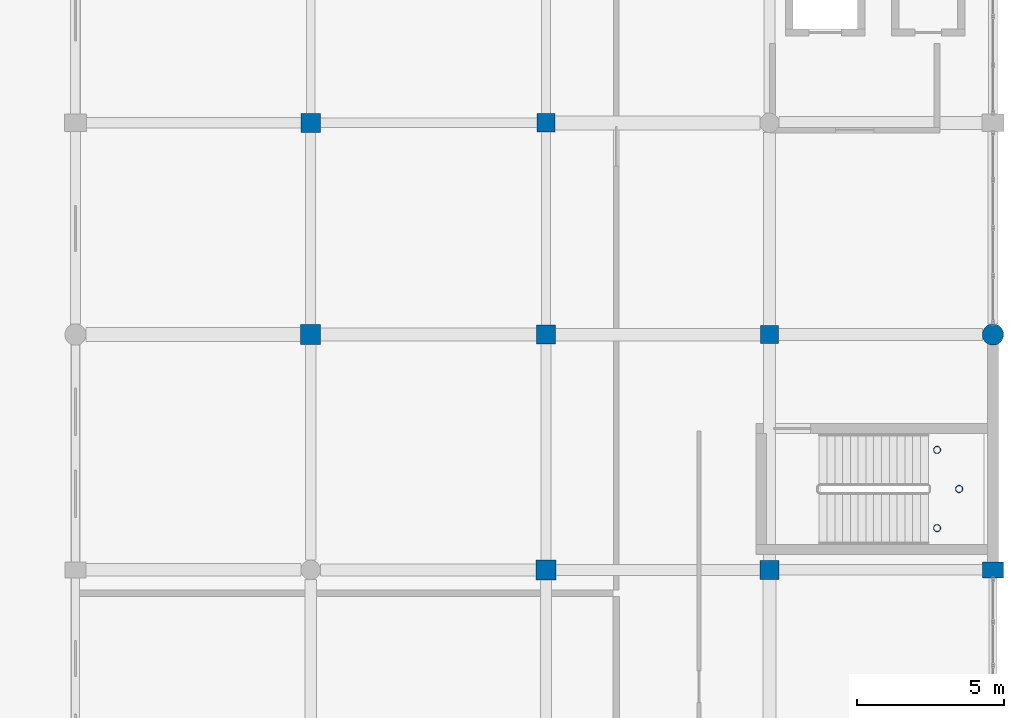
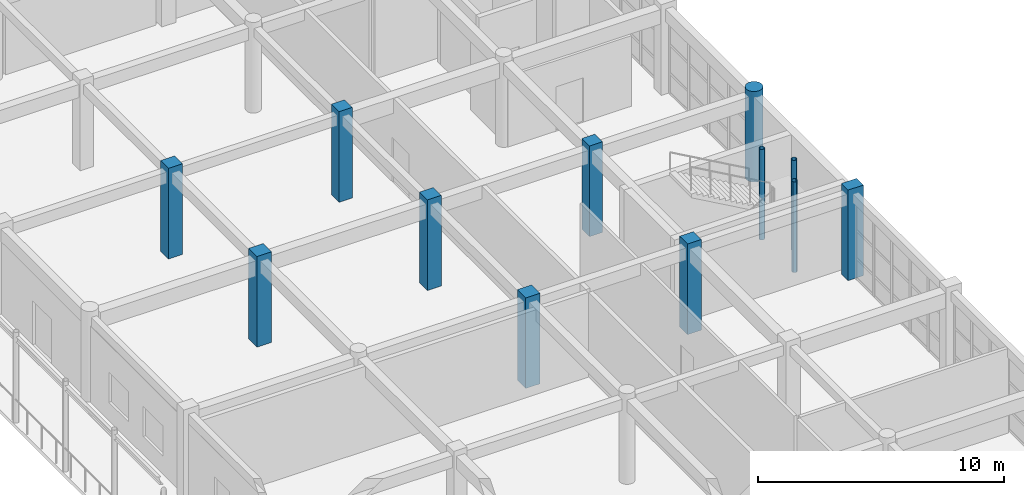
# One storey, part 32 of 160: 12 columns.
"""IFC4 building model written with IfcOpenShell, lengths in metres."""

import ifcopenshell
import ifcopenshell.guid

model = None  # the IFC model being written
_history = None  # IfcOwnerHistory: only IFC2X3 demands one
_inside = {}  # id of a spatial element -> (the spatial element, [elements in it])
_under = {}  # id of a project, library or spatial element -> (it, [spatial elements below it])
_declared = {}  # id of a project -> (the project, [libraries it declares])
_typed = {}  # id of a type object -> (the type object, [elements of that type])
_made_of = {}  # id of a material, layer set ... -> (it, [elements and type objects made of it])


def new_model(schema):
    """Start an empty IFC model of exactly this schema.

    Asked for "IFC4X3", IfcOpenShell would pick the latest addendum, in which some entities
    have other attributes; the version numbers below select the first issue.
    IFC2X3 requires an IfcOwnerHistory on every rooted entity: one is made here for all.
    """
    global model, _history
    if schema == "IFC4X3":
        model = ifcopenshell.file(schema_version=(4, 3, 0, 0))
    else:
        model = ifcopenshell.file(schema=schema)
    _inside.clear()
    _under.clear()
    _declared.clear()
    _typed.clear()
    _made_of.clear()
    _history = None
    if model.schema == "IFC2X3":
        org = make("IfcOrganization", Name="unknown")
        user = make(
            "IfcPersonAndOrganization",
            ThePerson=make("IfcPerson", FamilyName="unknown"),
            TheOrganization=org,
        )
        app = make(
            "IfcApplication",
            ApplicationDeveloper=org,
            Version="unknown",
            ApplicationFullName="unknown",
            ApplicationIdentifier="unknown",
        )
        _history = make(
            "IfcOwnerHistory",
            OwningUser=user,
            OwningApplication=app,
            ChangeAction="ADDED",
            CreationDate=0,
        )
    return model


def make(cls, **values):
    """One entity of the class cls with the attributes given. An attribute that is None is left unset."""
    return model.create_entity(
        cls, **{name: value for name, value in values.items() if value is not None}
    )


def rooted(cls, **values):
    """An entity with a GlobalId (a new one), such as an element, a storey or a relation."""
    return make(cls, GlobalId=ifcopenshell.guid.new(), OwnerHistory=_history, **values)


def si_unit(unit_type, name, prefix=None):
    """IfcSIUnit, for example si_unit("LENGTHUNIT", "METRE", prefix="MILLI")."""
    return make("IfcSIUnit", UnitType=unit_type, Prefix=prefix, Name=name)


def assignment(units):
    """IfcUnitAssignment: the units of a project."""
    return None if units is None else make("IfcUnitAssignment", Units=units)


def point(xyz):
    """IfcCartesianPoint."""
    return None if xyz is None else make("IfcCartesianPoint", Coordinates=xyz)


def direction(xyz):
    """IfcDirection."""
    return None if xyz is None else make("IfcDirection", DirectionRatios=xyz)


def frame(location, z_axis=None, x_axis=None):
    """IfcAxis2Placement3D, a coordinate frame: its origin and axes. An axis left out is left unset."""
    return make(
        "IfcAxis2Placement3D",
        Location=point(location),
        Axis=direction(z_axis),
        RefDirection=direction(x_axis),
    )


def frame_2d(location, x_axis=None):
    """IfcAxis2Placement2D, a coordinate frame in the plane: its origin and x axis."""
    return make(
        "IfcAxis2Placement2D", Location=point(location), RefDirection=direction(x_axis)
    )


def origin():
    """The frame at (0, 0, 0) with its axes left unset."""
    return frame((0.0, 0.0, 0.0))


def origin_2d():
    """The frame at (0, 0) in the plane with its x axis left unset."""
    return frame_2d((0.0, 0.0))


def place(relative_to, where):
    """IfcLocalPlacement: puts the frame where relative to a parent placement (None: the world)."""
    return make(
        "IfcLocalPlacement", PlacementRelTo=relative_to, RelativePlacement=where
    )


def context(
    kind, dimensions, precision=None, world=None, true_north=None, identifier=None
):
    """IfcGeometricRepresentationContext, for example the 3D "Model" context."""
    return make(
        "IfcGeometricRepresentationContext",
        ContextIdentifier=identifier,
        ContextType=kind,
        CoordinateSpaceDimension=dimensions,
        Precision=precision,
        WorldCoordinateSystem=world,
        TrueNorth=true_north,
    )


def subcontext(parent, identifier, kind, view, scale=None):
    """IfcGeometricRepresentationSubContext, for example "Body" below "Model"."""
    return make(
        "IfcGeometricRepresentationSubContext",
        ContextIdentifier=identifier,
        ContextType=kind,
        ParentContext=parent,
        TargetScale=scale,
        TargetView=view,
    )


def project(units=None, contexts=None):
    """IfcProject with its units and contexts."""
    return rooted(
        "IfcProject",
        Name="project",
        RepresentationContexts=contexts,
        UnitsInContext=assignment(units),
    )


def spatial(cls, under=None, at=None, **own):
    """A site, building, storey or space (cls), placed at a placement, below another one or the project."""
    s = rooted(cls, ObjectPlacement=at, **own)
    if under is not None:
        _under.setdefault(under.id(), (under, []))[1].append(s)
    return s


def profile(cls, at=None, kind="AREA", **sizes):
    """A parametric profile (cls). Its sizes go by their IFC names, for example OverallWidth=200.0."""
    return make(cls, ProfileType=kind, Position=at, **sizes)


def rectangle(**sizes):
    """IfcRectangleProfileDef."""
    return profile("IfcRectangleProfileDef", **sizes)


def circle(**sizes):
    """IfcCircleProfileDef."""
    return profile("IfcCircleProfileDef", **sizes)


def hollow_circle(**sizes):
    """IfcCircleHollowProfileDef."""
    return profile("IfcCircleHollowProfileDef", **sizes)


def extrude(swept, where, along, depth):
    """IfcExtrudedAreaSolid: the profile swept, set in the frame where, extruded along a direction by depth."""
    return make(
        "IfcExtrudedAreaSolid",
        SweptArea=swept,
        Position=where,
        ExtrudedDirection=direction(along),
        Depth=depth,
    )


def shape(context_of_items, identifier, shape_type, items):
    """IfcShapeRepresentation: the items that make up one representation, for example the "Body"."""
    return make(
        "IfcShapeRepresentation",
        ContextOfItems=context_of_items,
        RepresentationIdentifier=identifier,
        RepresentationType=shape_type,
        Items=items,
    )


def material(Name=None, Category=None):
    """IfcMaterial."""
    return make("IfcMaterial", Name=Name, Category=Category)


def material_profile(
    of_material, cross_section, Name=None, Category=None, Priority=None
):
    """IfcMaterialProfile: a cross section and its material."""
    return make(
        "IfcMaterialProfile",
        Name=Name,
        Material=of_material,
        Profile=cross_section,
        Priority=Priority,
        Category=Category,
    )


def profile_set(profiles, Name=None, composite=None):
    """IfcMaterialProfileSet."""
    return make(
        "IfcMaterialProfileSet",
        Name=Name,
        MaterialProfiles=profiles,
        CompositeProfile=composite,
    )


def made_of(thing, what):
    """Note that an element or type object is made of a material, layer set ...; save() writes the relation."""
    if what is not None:
        _made_of.setdefault(what.id(), (what, []))[1].append(thing)
    return thing


def type_object(cls, material=None, **own):
    """A type object (cls), such as IfcWallType, which elements share."""
    return made_of(rooted(cls, **own), material)


def element(
    cls,
    number,
    at=None,
    inside=None,
    cuts=None,
    type_object=None,
    material=None,
    context=None,
    identifier="Body",
    shape_type=None,
    held_by="IfcProductDefinitionShape",
    body=None,
    shapes=None,
    **own,
):
    """One element of the class cls, such as IfcWall. Its Tag is "e" and its number.

    at: its placement. inside: the storey or other place that contains it. cuts: it is an
    opening in that element (IfcRelVoidsElement). A single representation is given by context,
    identifier, shape_type and body (its items); several are given by shapes. held_by: the class
    of the entity that holds the representations. save() writes the other relations.
    """
    e = rooted(cls, Tag="e%d" % number, ObjectPlacement=at, **own)
    if body is not None:
        shapes = [shape(context, identifier, shape_type, body)]
    if shapes is not None:
        e.Representation = make(held_by, Representations=shapes)
    if inside is not None:
        _inside.setdefault(inside.id(), (inside, []))[1].append(e)
    if cuts is not None:
        rooted(
            "IfcRelVoidsElement", RelatingBuildingElement=cuts, RelatedOpeningElement=e
        )
    if type_object is not None:
        _typed.setdefault(type_object.id(), (type_object, []))[1].append(e)
    return made_of(e, material)


def aggregate(whole, parts):
    """IfcRelAggregates: a whole, such as a stair, and the parts it consists of."""
    return rooted("IfcRelAggregates", RelatingObject=whole, RelatedObjects=parts)


def save(model, path):
    """Write the relations noted so far, then the file.

    IfcRelAggregates (storeys below a building ...), IfcRelContainedInSpatialStructure (elements
    in a storey), IfcRelDefinesByType, IfcRelAssociatesMaterial and IfcRelDeclares: one each for
    every whole, place, type object, material and project.
    """
    for whole, parts in _under.values():
        aggregate(whole, parts)
    for where, things in _inside.values():
        rooted(
            "IfcRelContainedInSpatialStructure",
            RelatedElements=things,
            RelatingStructure=where,
        )
    for kind, things in _typed.values():
        rooted("IfcRelDefinesByType", RelatedObjects=things, RelatingType=kind)
    for what, things in _made_of.values():
        rooted("IfcRelAssociatesMaterial", RelatedObjects=things, RelatingMaterial=what)
    for by, libraries in _declared.values():
        rooted("IfcRelDeclares", RelatingContext=by, RelatedDefinitions=libraries)
    model.write(path)


model = new_model("IFC4")

# Units and contexts
model_context = context("Model", 3, precision=1e-05, world=origin(), true_north=direction((0.0, 1.0)))
body_context = subcontext(model_context, "Body", "Model", "MODEL_VIEW")
ifc_project = project(units=[si_unit("LENGTHUNIT", "METRE"), si_unit("AREAUNIT", "SQUARE_METRE"), si_unit("VOLUMEUNIT", "CUBIC_METRE"), si_unit("PLANEANGLEUNIT", "RADIAN"), si_unit("MASSUNIT", "GRAM", prefix="KILO")], contexts=[model_context])

# Site, building, storey
site_placement = place(None, origin())
site = spatial("IfcSite", under=ifc_project, at=site_placement, CompositionType="ELEMENT")
building_placement = place(site_placement, origin())
building = spatial("IfcBuilding", under=site, at=building_placement, Name="Kharva Crest Polytechnic", CompositionType="ELEMENT")
storey_placement = place(building_placement, frame((0.0, 0.0, 4.5)))
storey = spatial("IfcBuildingStorey", under=building, at=storey_placement, Name="L01", CompositionType="ELEMENT", Elevation=4.5)

# Columns
ifc_material_1 = material(Name="Concrete C40/50", Category="concrete")
ifc_material_profile_1 = material_profile(ifc_material_1, rectangle(XDim=0.719970703125, YDim=0.550048828125, at=origin_2d()), Name="RECT 720 X 550")
ifc_profile_set_1 = profile_set([ifc_material_profile_1], Name="Concrete C40/50")
column_type_1 = type_object("IfcColumnType", Name="COL-EXT-720X550", PredefinedType="COLUMN", material=ifc_profile_set_1)
column_1_placement = place(storey_placement, frame((184.0, 70.800048828125, 0.0), z_axis=(0.0, 0.0, 1.0), x_axis=(1.0, 0.0, 0.0)))
element("IfcColumn", 1, at=column_1_placement, inside=storey, type_object=column_type_1, Name="L01 Column 24/K", PredefinedType="COLUMN", context=body_context, shape_type="SweptSolid", body=[
    extrude(rectangle(XDim=0.719970703125, YDim=0.550048828125, at=origin_2d()), origin(), (0.0, 0.0, 1.0), 4.5),
])
ifc_material_profile_2 = material_profile(ifc_material_1, circle(Radius=0.360107421875, at=origin_2d()), Name="DIA 720")
ifc_profile_set_2 = profile_set([ifc_material_profile_2], Name="Concrete C40/50")
column_type_2 = type_object("IfcColumnType", Name="COL-EXT-DIA720", PredefinedType="COLUMN", material=ifc_profile_set_2)
column_2_placement = place(storey_placement, frame((184.0, 78.800048828125, 0.0), z_axis=(0.0, 0.0, 1.0), x_axis=(1.0, 0.0, 0.0)))
element("IfcColumn", 2, at=column_2_placement, inside=storey, type_object=column_type_2, Name="L01 Column 24/L", PredefinedType="COLUMN", context=body_context, shape_type="SweptSolid", body=[
    extrude(circle(Radius=0.360107421875, at=origin_2d()), origin(), (0.0, 0.0, 1.0), 4.5),
])
ifc_material_profile_3 = material_profile(ifc_material_1, rectangle(XDim=0.6201171875, YDim=0.6201171875, at=origin_2d()), Name="RECT 620 X 620")
ifc_profile_set_3 = profile_set([ifc_material_profile_3], Name="Concrete C40/50")
column_type_3 = type_object("IfcColumnType", Name="COL-INT-620X620", PredefinedType="COLUMN", material=ifc_profile_set_3)
for number, where, z_axis, x_axis, name in (
    (3, (168.800048828125, 86.0, 0.0), (0.0, 0.0, 1.0), (1.0, 0.0, 0.0), "L01 Column 22/M"),
    (4, (176.39990234375, 78.800048828125, 0.0), (0.0, 0.0, 1.0), (1.0, 0.0, 0.0), "L01 Column 23/L"),
):
    element("IfcColumn", number, at=place(storey_placement, frame(where, z_axis=z_axis, x_axis=x_axis)), inside=storey, type_object=column_type_3, Name=name, PredefinedType="COLUMN", context=body_context, shape_type="SweptSolid", body=[
        extrude(rectangle(XDim=0.6201171875, YDim=0.6201171875, at=origin_2d()), origin(), (0.0, 0.0, 1.0), 4.5),
    ])
ifc_material_profile_4 = material_profile(ifc_material_1, rectangle(XDim=0.64990234375, YDim=0.64990234375, at=origin_2d()), Name="RECT 650 X 650")
ifc_profile_set_4 = profile_set([ifc_material_profile_4], Name="Concrete C40/50")
column_type_4 = type_object("IfcColumnType", Name="COL-INT-650X650", PredefinedType="COLUMN", material=ifc_profile_set_4)
for number, where, z_axis, x_axis, name in (
    (5, (160.800048828125, 86.0, 0.0), (0.0, 0.0, 1.0), (1.0, 0.0, 0.0), "L01 Column 21/M"),
    (6, (168.800048828125, 78.800048828125, 0.0), (0.0, 0.0, 1.0), (1.0, 0.0, 0.0), "L01 Column 22/L"),
    (7, (176.39990234375, 70.800048828125, 0.0), (0.0, 0.0, 1.0), (1.0, 0.0, 0.0), "L01 Column 23/K"),
):
    element("IfcColumn", number, at=place(storey_placement, frame(where, z_axis=z_axis, x_axis=x_axis)), inside=storey, type_object=column_type_4, Name=name, PredefinedType="COLUMN", context=body_context, shape_type="SweptSolid", body=[
        extrude(rectangle(XDim=0.64990234375, YDim=0.64990234375, at=origin_2d()), origin(), (0.0, 0.0, 1.0), 4.5),
    ])
ifc_material_profile_5 = material_profile(ifc_material_1, rectangle(XDim=0.679931640625, YDim=0.679931640625, at=origin_2d()), Name="RECT 680 X 680")
ifc_profile_set_5 = profile_set([ifc_material_profile_5], Name="Concrete C40/50")
column_type_5 = type_object("IfcColumnType", Name="COL-INT-680X680", PredefinedType="COLUMN", material=ifc_profile_set_5)
for number, where, z_axis, x_axis, name in (
    (8, (160.800048828125, 78.800048828125, 0.0), (0.0, 0.0, 1.0), (1.0, 0.0, 0.0), "L01 Column 21/L"),
    (9, (168.800048828125, 70.800048828125, 0.0), (0.0, 0.0, 1.0), (1.0, 0.0, 0.0), "L01 Column 22/K"),
):
    element("IfcColumn", number, at=place(storey_placement, frame(where, z_axis=z_axis, x_axis=x_axis)), inside=storey, type_object=column_type_5, Name=name, PredefinedType="COLUMN", context=body_context, shape_type="SweptSolid", body=[
        extrude(rectangle(XDim=0.679931640625, YDim=0.679931640625, at=origin_2d()), origin(), (0.0, 0.0, 1.0), 4.5),
    ])
ifc_material_2 = material(Name="Steel S355", Category="steel")
ifc_material_profile_6 = material_profile(ifc_material_2, hollow_circle(Radius=0.122314453125, WallThickness=0.010009765625, at=origin_2d()), Name="CHS 244.5X10.0")
ifc_profile_set_6 = profile_set([ifc_material_profile_6], Name="Steel S355")
column_type_6 = type_object("IfcColumnType", Name="COL-STL-CHS244", PredefinedType="COLUMN", material=ifc_profile_set_6)
for number, where, z_axis, x_axis, name in (
    (10, (182.10009765625, 72.219970703125, 0.0), (0.0, 0.0, 1.0), (1.0, 0.0, 0.0), "L01 Stair ST-05 Landing Support Column SW"),
    (11, (182.10009765625, 74.8798828125, 0.0), (0.0, 0.0, 1.0), (1.0, 0.0, 0.0), "L01 Stair ST-05 Landing Support Column NW"),
    (12, (182.85009765625, 73.550048828125, 0.0), (0.0, 0.0, 1.0), (1.0, 0.0, 0.0), "L01 Stair ST-05 Landing Support Column EM"),
):
    element("IfcColumn", number, at=place(storey_placement, frame(where, z_axis=z_axis, x_axis=x_axis)), inside=storey, type_object=column_type_6, Name=name, PredefinedType="COLUMN", context=body_context, shape_type="SweptSolid", body=[
        extrude(hollow_circle(Radius=0.122314453125, WallThickness=0.010009765625, at=origin_2d()), origin(), (0.0, 0.0, 1.0), 4.5),
    ])

save(model, "model.ifc")
